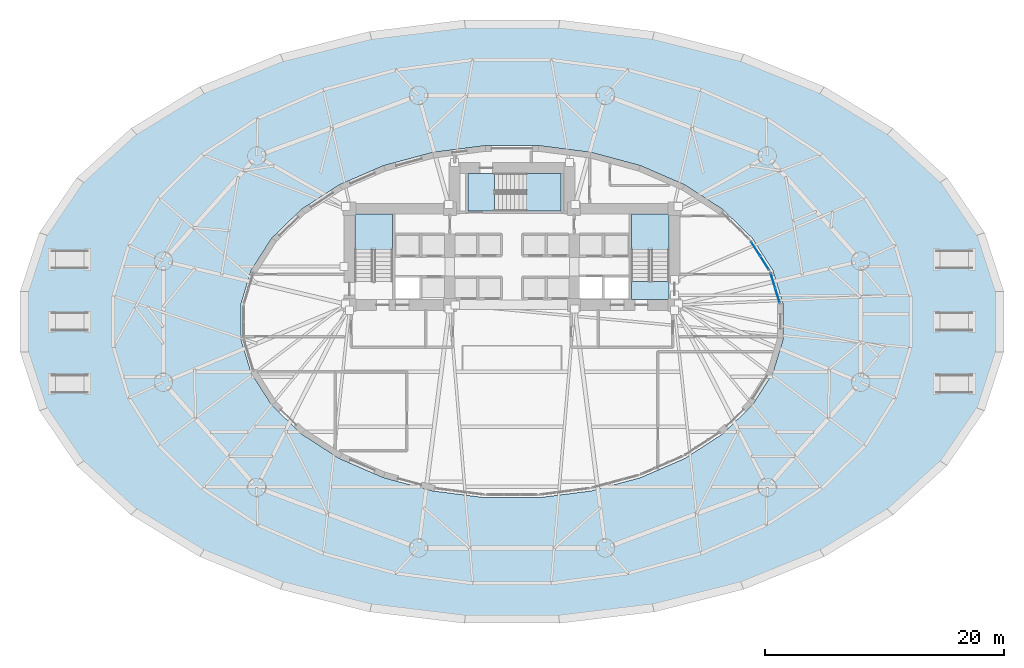
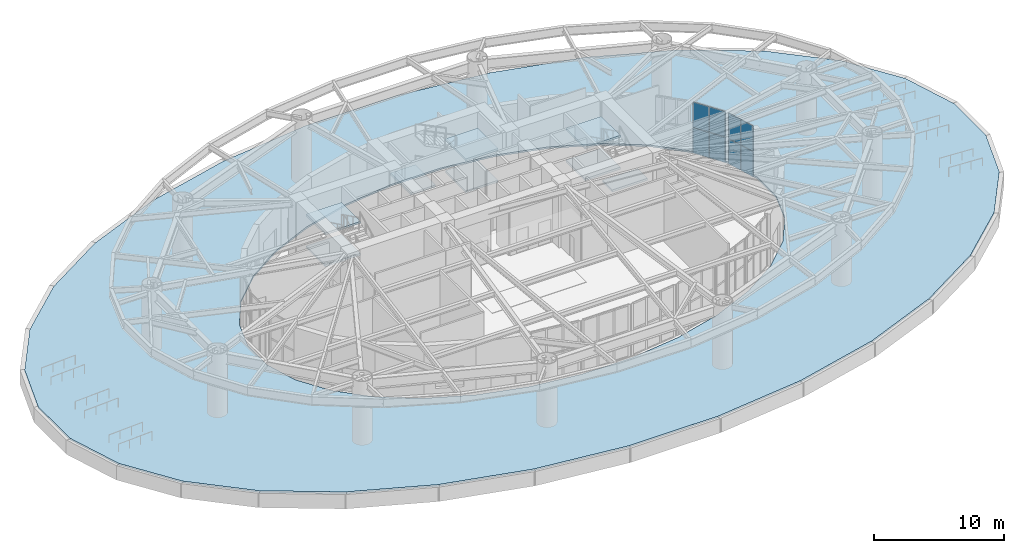
# One storey, part 12 of 21: 9 slabs, 8 plates, 5 elements without a shape of their own.
"""IFC4 building model written with IfcOpenShell, lengths in metres."""

from ifc_helpers import new_model, si_unit, direction, frame, origin, origin_2d, place, context, subcontext, project, spatial, polyline, rectangle, outline, extrude, material, layer, layer_set, type_object, element, aggregate, save


model = new_model("IFC4")

# Units and contexts
model_context = context("Model", 3, precision=1e-05, world=origin(), true_north=direction((0.0, 1.0)))
body_context = subcontext(model_context, "Body", "Model", "MODEL_VIEW")
ifc_project = project(units=[si_unit("LENGTHUNIT", "METRE"), si_unit("AREAUNIT", "SQUARE_METRE"), si_unit("VOLUMEUNIT", "CUBIC_METRE"), si_unit("PLANEANGLEUNIT", "RADIAN"), si_unit("MASSUNIT", "GRAM", prefix="KILO")], contexts=[model_context])

# Site, building, storey
site_placement = place(None, origin())
site = spatial("IfcSite", under=ifc_project, at=site_placement, CompositionType="ELEMENT")
building_placement = place(site_placement, origin())
building = spatial("IfcBuilding", under=site, at=building_placement, Name="Keldmark Tower", CompositionType="ELEMENT")
storey_placement = place(building_placement, origin())
storey = spatial("IfcBuildingStorey", under=building, at=storey_placement, Name="L00", CompositionType="ELEMENT", Elevation=0.0)

# Slab
ifc_material_1 = material(Name="Carnelian Granite Paving on Concrete C35/45", Category="masonry")
ifc_layer_1 = layer(ifc_material_1, 0.159912109375)
ifc_layer_set_1 = layer_set([ifc_layer_1], Name="Carnelian Granite Paving on Concrete C35/45")
slab_type_1 = type_object("IfcSlabType", Name="Granite Public Plaza Paving 160 mm", PredefinedType="USERDEFINED", material=ifc_layer_set_1)
slab_1_placement = place(storey_placement, frame((0.0, 0.0, -0.159912109375)))
element("IfcSlab", 1, at=slab_1_placement, inside=storey, type_object=slab_type_1, Name="L00 Open-Stilt Pilotis Public Plaza Paving", ObjectType="PAVING", PredefinedType="USERDEFINED", context=body_context, shape_type="SweptSolid", body=[
    extrude(outline(polyline([(40.802490234375, 2.450439453125), (39.234619140625, 7.257080078125), (36.15869140625, 11.784912109375), (31.693359375, 15.85986328125), (26.010009765625, 19.3251953125), (19.327392578125, 22.048095703125), (11.901611328125, 23.923583984375), (4.018798828125, 24.879638671875), (-4.018798828125, 24.879638671875), (-11.901611328125, 23.923583984375), (-19.327392578125, 22.048095703125), (-26.010009765625, 19.3251953125), (-31.693359375, 15.85986328125), (-36.15869140625, 11.784912109375), (-39.234619140625, 7.257080078125), (-40.802490234375, 2.450439453125), (-40.802490234375, -2.450439453125), (-39.234619140625, -7.257080078125), (-36.15869140625, -11.784912109375), (-31.693359375, -15.85986328125), (-26.010009765625, -19.3251953125), (-19.327392578125, -22.048095703125), (-11.901611328125, -23.923583984375), (-4.018798828125, -24.879638671875), (4.018798828125, -24.879638671875), (11.901611328125, -23.923583984375), (19.327392578125, -22.048095703125), (26.010009765625, -19.3251953125), (31.693359375, -15.85986328125), (36.15869140625, -11.784912109375), (39.234619140625, -7.257080078125), (40.802490234375, -2.450439453125), (40.802490234375, 2.450439453125)]), holes=[polyline([(22.690185546875, 1.45068359375), (21.818115234375, 4.296142578125), (20.10791015625, 6.976806640625), (17.62451171875, 9.388916015625), (14.464111328125, 11.440673828125), (10.747802734375, 13.052490234375), (6.618408203125, 14.16259765625), (2.23486328125, 14.728759765625), (-2.23486328125, 14.728759765625), (-6.618408203125, 14.16259765625), (-10.747802734375, 13.052490234375), (-14.464111328125, 11.440673828125), (-17.62451171875, 9.388916015625), (-20.10791015625, 6.976806640625), (-21.818115234375, 4.296142578125), (-22.690185546875, 1.45068359375), (-22.690185546875, -1.45068359375), (-21.818115234375, -4.296142578125), (-20.10791015625, -6.976806640625), (-17.62451171875, -9.388916015625), (-14.464111328125, -11.440673828125), (-10.747802734375, -13.052490234375), (-6.618408203125, -14.16259765625), (-2.23486328125, -14.728759765625), (2.23486328125, -14.728759765625), (6.618408203125, -14.16259765625), (10.747802734375, -13.052490234375), (14.464111328125, -11.440673828125), (17.62451171875, -9.388916015625), (20.10791015625, -6.976806640625), (21.818115234375, -4.296142578125), (22.690185546875, -1.45068359375), (22.690185546875, 1.45068359375)])]), origin(), (0.0, 0.0, 1.0), 0.159912109375),
])

# Stair, slabs
ifc_material_2 = material(Name="Concrete C40/50", Category="concrete")
stair_type = type_object("IfcStairType", Name="Precast Concrete Core Exit Stair", PredefinedType="HALF_TURN_STAIR", material=ifc_material_2)
stair_1_placement = place(storey_placement, origin())
stair_1 = element("IfcStair", 2, at=stair_1_placement, inside=storey, type_object=stair_type, Name="L00 Exit Stair ST1", PredefinedType="HALF_TURN_STAIR")
ifc_material_3 = material(Name="Concrete C40/50", Category="concrete")
ifc_layer_2 = layer(ifc_material_3, 0.199951171875)
ifc_layer_set_2 = layer_set([ifc_layer_2], Name="Concrete C40/50")
slab_type_2 = type_object("IfcSlabType", Name="Reinforced Concrete Stair Landing 200 mm", PredefinedType="LANDING", material=ifc_layer_set_2)
slab_2_placement = place(storey_placement, frame((0.0, 0.0, 1.300048828125)))
slab_2 = element("IfcSlab", 3, at=slab_2_placement, type_object=slab_type_2, Name="ST1 landing 1", PredefinedType="LANDING", context=body_context, shape_type="SweptSolid", body=[
    extrude(outline(polyline([(-10.0, 6.050048828125), (-10.0, 9.0), (-13.14990234375, 9.0), (-13.14990234375, 6.050048828125), (-10.0, 6.050048828125)])), origin(), (0.0, 0.0, 1.0), 0.199951171875),
])
slab_3_placement = place(storey_placement, frame((0.0, 0.0, 4.300048828125)))
slab_3 = element("IfcSlab", 4, at=slab_3_placement, type_object=slab_type_2, Name="ST1 landing 3", PredefinedType="LANDING", context=body_context, shape_type="SweptSolid", body=[
    extrude(outline(polyline([(-10.0, 6.050048828125), (-10.0, 9.0), (-13.14990234375, 9.0), (-13.14990234375, 6.050048828125), (-10.0, 6.050048828125)])), origin(), (0.0, 0.0, 1.0), 0.199951171875),
])
aggregate(stair_1, [slab_2, slab_3])

stair_2_placement = place(storey_placement, origin())
stair_2 = element("IfcStair", 5, at=stair_2_placement, inside=storey, type_object=stair_type, Name="L00 Exit Stair ST2", PredefinedType="HALF_TURN_STAIR")
slab_4_placement = place(storey_placement, frame((0.0, 0.0, 1.300048828125)))
slab_4 = element("IfcSlab", 6, at=slab_4_placement, type_object=slab_type_2, Name="ST2 landing 1", PredefinedType="LANDING", context=body_context, shape_type="SweptSolid", body=[
    extrude(outline(polyline([(13.14990234375, 6.050048828125), (13.14990234375, 9.0), (10.0, 9.0), (10.0, 6.050048828125), (13.14990234375, 6.050048828125)])), origin(), (0.0, 0.0, 1.0), 0.199951171875),
])
slab_5_placement = place(storey_placement, frame((0.0, 0.0, 2.800048828125)))
slab_5 = element("IfcSlab", 7, at=slab_5_placement, type_object=slab_type_2, Name="ST2 landing 2", PredefinedType="LANDING", context=body_context, shape_type="SweptSolid", body=[
    extrude(outline(polyline([(13.14990234375, 1.85009765625), (13.14990234375, 3.3701171875), (10.0, 3.3701171875), (10.0, 1.85009765625), (13.14990234375, 1.85009765625)])), origin(), (0.0, 0.0, 1.0), 0.199951171875),
])
slab_6_placement = place(storey_placement, frame((0.0, 0.0, 4.300048828125)))
slab_6 = element("IfcSlab", 8, at=slab_6_placement, type_object=slab_type_2, Name="ST2 landing 3", PredefinedType="LANDING", context=body_context, shape_type="SweptSolid", body=[
    extrude(outline(polyline([(13.14990234375, 6.050048828125), (13.14990234375, 9.0), (10.0, 9.0), (10.0, 6.050048828125), (13.14990234375, 6.050048828125)])), origin(), (0.0, 0.0, 1.0), 0.199951171875),
])
aggregate(stair_2, [slab_4, slab_5, slab_6])

stair_3_placement = place(storey_placement, origin())
stair_3 = element("IfcStair", 9, at=stair_3_placement, inside=storey, type_object=stair_type, Name="L00 Exit Stair ST3", PredefinedType="HALF_TURN_STAIR")
slab_7_placement = place(storey_placement, frame((0.0, 0.0, 1.300048828125)))
slab_7 = element("IfcSlab", 10, at=slab_7_placement, type_object=slab_type_2, Name="ST3 landing 1", PredefinedType="LANDING", context=body_context, shape_type="SweptSolid", body=[
    extrude(outline(polyline([(1.22509765625, 9.25), (4.10498046875, 9.25), (4.10498046875, 12.39990234375), (1.22509765625, 12.39990234375), (1.22509765625, 9.25)])), origin(), (0.0, 0.0, 1.0), 0.199951171875),
])
slab_8_placement = place(storey_placement, frame((0.0, 0.0, 2.800048828125)))
slab_8 = element("IfcSlab", 11, at=slab_8_placement, type_object=slab_type_2, Name="ST3 landing 2", PredefinedType="LANDING", context=body_context, shape_type="SweptSolid", body=[
    extrude(outline(polyline([(-3.675048828125, 9.25), (-1.455078125, 9.25), (-1.455078125, 12.39990234375), (-3.675048828125, 12.39990234375), (-3.675048828125, 9.25)])), origin(), (0.0, 0.0, 1.0), 0.199951171875),
])
slab_9_placement = place(storey_placement, frame((0.0, 0.0, 4.300048828125)))
slab_9 = element("IfcSlab", 12, at=slab_9_placement, type_object=slab_type_2, Name="ST3 landing 3", PredefinedType="LANDING", context=body_context, shape_type="SweptSolid", body=[
    extrude(outline(polyline([(1.22509765625, 9.25), (4.10498046875, 9.25), (4.10498046875, 12.39990234375), (1.22509765625, 12.39990234375), (1.22509765625, 9.25)])), origin(), (0.0, 0.0, 1.0), 0.199951171875),
])
aggregate(stair_3, [slab_7, slab_8, slab_9])

# Curtain wall, plates
ifc_material_4 = material(Name="Unitized Thermally Broken Aluminum and Triple Low-E Glazing", Category="aluminium")
ifc_layer_3 = layer(ifc_material_4, 0.219970703125)
ifc_layer_set_3 = layer_set([ifc_layer_3], Name="Unitized Thermally Broken Aluminum and Triple Low-E Glazing")
curtain_wall_type = type_object("IfcCurtainWallType", Name="Skyway Entry Glazed Curtain Wall System", PredefinedType="NOTDEFINED", material=ifc_layer_set_3)
curtain_wall_1_placement = place(storey_placement, origin())
curtain_wall_1 = element("IfcCurtainWall", 13, at=curtain_wall_1_placement, inside=storey, type_object=curtain_wall_type, Name="L00 Skyway Entry Glazed Curtain Wall System CW-L00-01", PredefinedType="NOTDEFINED")
ifc_material_5 = material(Name="Triple Silver Low-E Insulated Glass Unit", Category="glass")
ifc_layer_4 = layer(ifc_material_5, 0.035888671875)
ifc_layer_set_4 = layer_set([ifc_layer_4], Name="Triple Silver Low-E Insulated Glass Unit")
plate_type = type_object("IfcPlateType", Name="Triple Low-E Vision Glazing Panel 36 mm", PredefinedType="CURTAIN_PANEL", material=ifc_layer_set_4)
plate_1_placement = place(storey_placement, frame((22.2177734375, 2.173095703125, 0.06005859375), z_axis=(0.0, 0.0, 1.0), x_axis=(-0.293022245671, 0.956105623633, 0.0)))
plate_1 = element("IfcPlate", 14, at=plate_1_placement, type_object=plate_type, Name="CW panel 1.1", PredefinedType="CURTAIN_PANEL", context=body_context, shape_type="SweptSolid", body=[
    extrude(rectangle(XDim=1.258056640625, YDim=0.035888671875, at=origin_2d()), origin(), (0.0, 0.0, 1.0), 2.364501953125),
])
plate_2_placement = place(storey_placement, frame((22.2177734375, 2.173095703125, 2.484375), z_axis=(0.0, 0.0, 1.0), x_axis=(-0.293022245671, 0.956105623633, 0.0)))
plate_2 = element("IfcPlate", 15, at=plate_2_placement, type_object=plate_type, Name="CW panel 1.2", PredefinedType="CURTAIN_PANEL", context=body_context, shape_type="SweptSolid", body=[
    extrude(rectangle(XDim=1.258056640625, YDim=0.035888671875, at=origin_2d()), origin(), (0.0, 0.0, 1.0), 2.364501953125),
])
plate_3_placement = place(storey_placement, frame((21.83154296875, 3.433349609375, 0.06005859375), z_axis=(0.0, 0.0, 1.0), x_axis=(-0.293022245671, 0.956105623633, 0.0)))
plate_3 = element("IfcPlate", 16, at=plate_3_placement, type_object=plate_type, Name="CW panel 2.1", PredefinedType="CURTAIN_PANEL", context=body_context, shape_type="SweptSolid", body=[
    extrude(rectangle(XDim=1.258056640625, YDim=0.035888671875, at=origin_2d()), origin(), (0.0, 0.0, 1.0), 2.364501953125),
])
plate_4_placement = place(storey_placement, frame((21.83154296875, 3.433349609375, 2.484375), z_axis=(0.0, 0.0, 1.0), x_axis=(-0.293022245671, 0.956105623633, 0.0)))
plate_4 = element("IfcPlate", 17, at=plate_4_placement, type_object=plate_type, Name="CW panel 2.2", PredefinedType="CURTAIN_PANEL", context=body_context, shape_type="SweptSolid", body=[
    extrude(rectangle(XDim=1.258056640625, YDim=0.035888671875, at=origin_2d()), origin(), (0.0, 0.0, 1.0), 2.364501953125),
])
aggregate(curtain_wall_1, [plate_1, plate_2, plate_3, plate_4])

curtain_wall_2_placement = place(storey_placement, origin())
curtain_wall_2 = element("IfcCurtainWall", 18, at=curtain_wall_2_placement, inside=storey, type_object=curtain_wall_type, Name="L00 Skyway Entry Glazed Curtain Wall System CW-L00-02", PredefinedType="NOTDEFINED")
plate_5_placement = place(storey_placement, frame((21.142578125, 4.908935546875, 0.06005859375), z_axis=(0.0, 0.0, 1.0), x_axis=(-0.537908241198, 0.843003395042, 0.0)))
plate_5 = element("IfcPlate", 19, at=plate_5_placement, type_object=plate_type, Name="CW panel 1.1", PredefinedType="CURTAIN_PANEL", context=body_context, shape_type="SweptSolid", body=[
    extrude(rectangle(XDim=1.35986328125, YDim=0.035888671875, at=origin_2d()), origin(), (0.0, 0.0, 1.0), 2.364501953125),
])
plate_6_placement = place(storey_placement, frame((21.142578125, 4.908935546875, 2.484375), z_axis=(0.0, 0.0, 1.0), x_axis=(-0.537908241198, 0.843003395042, 0.0)))
plate_6 = element("IfcPlate", 20, at=plate_6_placement, type_object=plate_type, Name="CW panel 1.2", PredefinedType="CURTAIN_PANEL", context=body_context, shape_type="SweptSolid", body=[
    extrude(rectangle(XDim=1.35986328125, YDim=0.035888671875, at=origin_2d()), origin(), (0.0, 0.0, 1.0), 2.364501953125),
])
plate_7_placement = place(storey_placement, frame((20.37890625, 6.105712890625, 0.06005859375), z_axis=(0.0, 0.0, 1.0), x_axis=(-0.537908241198, 0.843003395042, 0.0)))
plate_7 = element("IfcPlate", 21, at=plate_7_placement, type_object=plate_type, Name="CW panel 2.1", PredefinedType="CURTAIN_PANEL", context=body_context, shape_type="SweptSolid", body=[
    extrude(rectangle(XDim=1.35986328125, YDim=0.035888671875, at=origin_2d()), origin(), (0.0, 0.0, 1.0), 2.364501953125),
])
plate_8_placement = place(storey_placement, frame((20.37890625, 6.105712890625, 2.484375), z_axis=(0.0, 0.0, 1.0), x_axis=(-0.537908241198, 0.843003395042, 0.0)))
plate_8 = element("IfcPlate", 22, at=plate_8_placement, type_object=plate_type, Name="CW panel 2.2", PredefinedType="CURTAIN_PANEL", context=body_context, shape_type="SweptSolid", body=[
    extrude(rectangle(XDim=1.35986328125, YDim=0.035888671875, at=origin_2d()), origin(), (0.0, 0.0, 1.0), 2.364501953125),
])
aggregate(curtain_wall_2, [plate_5, plate_6, plate_7, plate_8])

save(model, "model.ifc")
